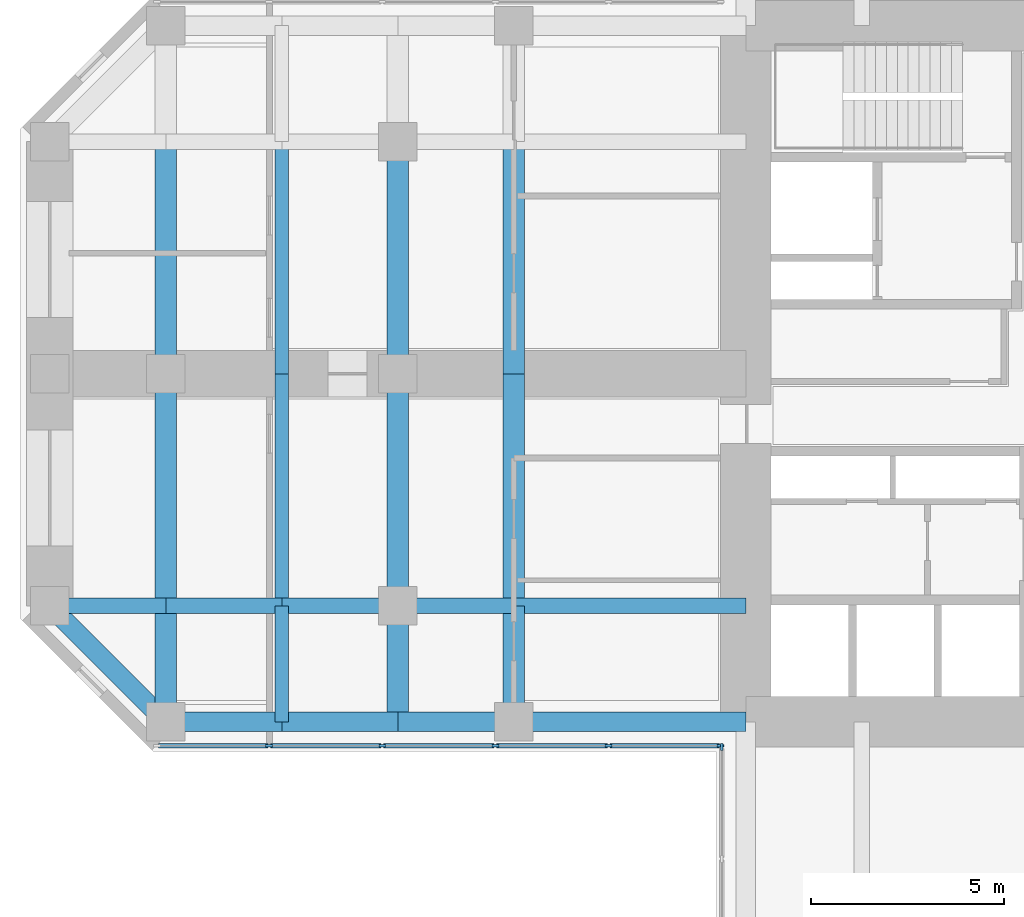
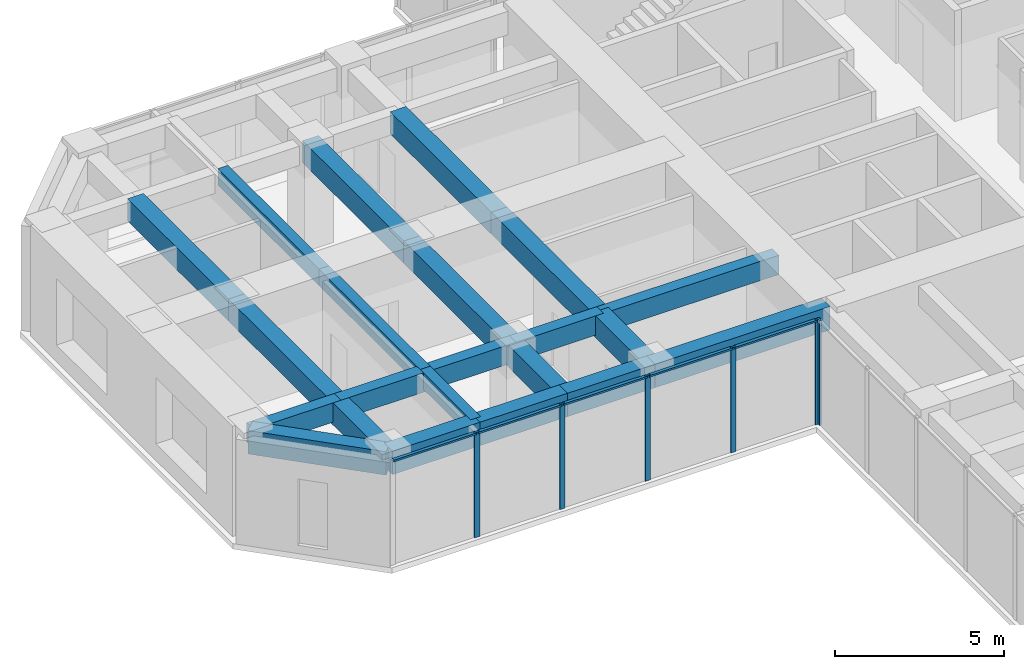
# One storey, part 3 of 13: 22 beams, 11 members, 2 elements without a shape of their own.
"""IFC4 building model written with IfcOpenShell, lengths in metres."""

import ifcopenshell
import ifcopenshell.guid

model = None  # the IFC model being written
_history = None  # IfcOwnerHistory: only IFC2X3 demands one
_inside = {}  # id of a spatial element -> (the spatial element, [elements in it])
_under = {}  # id of a project, library or spatial element -> (it, [spatial elements below it])
_declared = {}  # id of a project -> (the project, [libraries it declares])
_typed = {}  # id of a type object -> (the type object, [elements of that type])
_made_of = {}  # id of a material, layer set ... -> (it, [elements and type objects made of it])


def new_model(schema):
    """Start an empty IFC model of exactly this schema.

    Asked for "IFC4X3", IfcOpenShell would pick the latest addendum, in which some entities
    have other attributes; the version numbers below select the first issue.
    IFC2X3 requires an IfcOwnerHistory on every rooted entity: one is made here for all.
    """
    global model, _history
    if schema == "IFC4X3":
        model = ifcopenshell.file(schema_version=(4, 3, 0, 0))
    else:
        model = ifcopenshell.file(schema=schema)
    _inside.clear()
    _under.clear()
    _declared.clear()
    _typed.clear()
    _made_of.clear()
    _history = None
    if model.schema == "IFC2X3":
        org = make("IfcOrganization", Name="unknown")
        user = make(
            "IfcPersonAndOrganization",
            ThePerson=make("IfcPerson", FamilyName="unknown"),
            TheOrganization=org,
        )
        app = make(
            "IfcApplication",
            ApplicationDeveloper=org,
            Version="unknown",
            ApplicationFullName="unknown",
            ApplicationIdentifier="unknown",
        )
        _history = make(
            "IfcOwnerHistory",
            OwningUser=user,
            OwningApplication=app,
            ChangeAction="ADDED",
            CreationDate=0,
        )
    return model


def make(cls, **values):
    """One entity of the class cls with the attributes given. An attribute that is None is left unset."""
    return model.create_entity(
        cls, **{name: value for name, value in values.items() if value is not None}
    )


def rooted(cls, **values):
    """An entity with a GlobalId (a new one), such as an element, a storey or a relation."""
    return make(cls, GlobalId=ifcopenshell.guid.new(), OwnerHistory=_history, **values)


def si_unit(unit_type, name, prefix=None):
    """IfcSIUnit, for example si_unit("LENGTHUNIT", "METRE", prefix="MILLI")."""
    return make("IfcSIUnit", UnitType=unit_type, Prefix=prefix, Name=name)


def assignment(units):
    """IfcUnitAssignment: the units of a project."""
    return None if units is None else make("IfcUnitAssignment", Units=units)


def point(xyz):
    """IfcCartesianPoint."""
    return None if xyz is None else make("IfcCartesianPoint", Coordinates=xyz)


def direction(xyz):
    """IfcDirection."""
    return None if xyz is None else make("IfcDirection", DirectionRatios=xyz)


def frame(location, z_axis=None, x_axis=None):
    """IfcAxis2Placement3D, a coordinate frame: its origin and axes. An axis left out is left unset."""
    return make(
        "IfcAxis2Placement3D",
        Location=point(location),
        Axis=direction(z_axis),
        RefDirection=direction(x_axis),
    )


def frame_2d(location, x_axis=None):
    """IfcAxis2Placement2D, a coordinate frame in the plane: its origin and x axis."""
    return make(
        "IfcAxis2Placement2D", Location=point(location), RefDirection=direction(x_axis)
    )


def origin():
    """The frame at (0, 0, 0) with its axes left unset."""
    return frame((0.0, 0.0, 0.0))


def origin_2d():
    """The frame at (0, 0) in the plane with its x axis left unset."""
    return frame_2d((0.0, 0.0))


def place(relative_to, where):
    """IfcLocalPlacement: puts the frame where relative to a parent placement (None: the world)."""
    return make(
        "IfcLocalPlacement", PlacementRelTo=relative_to, RelativePlacement=where
    )


def context(
    kind, dimensions, precision=None, world=None, true_north=None, identifier=None
):
    """IfcGeometricRepresentationContext, for example the 3D "Model" context."""
    return make(
        "IfcGeometricRepresentationContext",
        ContextIdentifier=identifier,
        ContextType=kind,
        CoordinateSpaceDimension=dimensions,
        Precision=precision,
        WorldCoordinateSystem=world,
        TrueNorth=true_north,
    )


def subcontext(parent, identifier, kind, view, scale=None):
    """IfcGeometricRepresentationSubContext, for example "Body" below "Model"."""
    return make(
        "IfcGeometricRepresentationSubContext",
        ContextIdentifier=identifier,
        ContextType=kind,
        ParentContext=parent,
        TargetScale=scale,
        TargetView=view,
    )


def project(units=None, contexts=None):
    """IfcProject with its units and contexts."""
    return rooted(
        "IfcProject",
        Name="project",
        RepresentationContexts=contexts,
        UnitsInContext=assignment(units),
    )


def spatial(cls, under=None, at=None, **own):
    """A site, building, storey or space (cls), placed at a placement, below another one or the project."""
    s = rooted(cls, ObjectPlacement=at, **own)
    if under is not None:
        _under.setdefault(under.id(), (under, []))[1].append(s)
    return s


def profile(cls, at=None, kind="AREA", **sizes):
    """A parametric profile (cls). Its sizes go by their IFC names, for example OverallWidth=200.0."""
    return make(cls, ProfileType=kind, Position=at, **sizes)


def rectangle(**sizes):
    """IfcRectangleProfileDef."""
    return profile("IfcRectangleProfileDef", **sizes)


def extrude(swept, where, along, depth):
    """IfcExtrudedAreaSolid: the profile swept, set in the frame where, extruded along a direction by depth."""
    return make(
        "IfcExtrudedAreaSolid",
        SweptArea=swept,
        Position=where,
        ExtrudedDirection=direction(along),
        Depth=depth,
    )


def shape(context_of_items, identifier, shape_type, items):
    """IfcShapeRepresentation: the items that make up one representation, for example the "Body"."""
    return make(
        "IfcShapeRepresentation",
        ContextOfItems=context_of_items,
        RepresentationIdentifier=identifier,
        RepresentationType=shape_type,
        Items=items,
    )


def material(Name=None, Category=None):
    """IfcMaterial."""
    return make("IfcMaterial", Name=Name, Category=Category)


def material_profile(
    of_material, cross_section, Name=None, Category=None, Priority=None
):
    """IfcMaterialProfile: a cross section and its material."""
    return make(
        "IfcMaterialProfile",
        Name=Name,
        Material=of_material,
        Profile=cross_section,
        Priority=Priority,
        Category=Category,
    )


def profile_set(profiles, Name=None, composite=None):
    """IfcMaterialProfileSet."""
    return make(
        "IfcMaterialProfileSet",
        Name=Name,
        MaterialProfiles=profiles,
        CompositeProfile=composite,
    )


def made_of(thing, what):
    """Note that an element or type object is made of a material, layer set ...; save() writes the relation."""
    if what is not None:
        _made_of.setdefault(what.id(), (what, []))[1].append(thing)
    return thing


def type_object(cls, material=None, **own):
    """A type object (cls), such as IfcWallType, which elements share."""
    return made_of(rooted(cls, **own), material)


def element(
    cls,
    number,
    at=None,
    inside=None,
    cuts=None,
    type_object=None,
    material=None,
    context=None,
    identifier="Body",
    shape_type=None,
    held_by="IfcProductDefinitionShape",
    body=None,
    shapes=None,
    **own,
):
    """One element of the class cls, such as IfcWall. Its Tag is "e" and its number.

    at: its placement. inside: the storey or other place that contains it. cuts: it is an
    opening in that element (IfcRelVoidsElement). A single representation is given by context,
    identifier, shape_type and body (its items); several are given by shapes. held_by: the class
    of the entity that holds the representations. save() writes the other relations.
    """
    e = rooted(cls, Tag="e%d" % number, ObjectPlacement=at, **own)
    if body is not None:
        shapes = [shape(context, identifier, shape_type, body)]
    if shapes is not None:
        e.Representation = make(held_by, Representations=shapes)
    if inside is not None:
        _inside.setdefault(inside.id(), (inside, []))[1].append(e)
    if cuts is not None:
        rooted(
            "IfcRelVoidsElement", RelatingBuildingElement=cuts, RelatedOpeningElement=e
        )
    if type_object is not None:
        _typed.setdefault(type_object.id(), (type_object, []))[1].append(e)
    return made_of(e, material)


def aggregate(whole, parts):
    """IfcRelAggregates: a whole, such as a stair, and the parts it consists of."""
    return rooted("IfcRelAggregates", RelatingObject=whole, RelatedObjects=parts)


def save(model, path):
    """Write the relations noted so far, then the file.

    IfcRelAggregates (storeys below a building ...), IfcRelContainedInSpatialStructure (elements
    in a storey), IfcRelDefinesByType, IfcRelAssociatesMaterial and IfcRelDeclares: one each for
    every whole, place, type object, material and project.
    """
    for whole, parts in _under.values():
        aggregate(whole, parts)
    for where, things in _inside.values():
        rooted(
            "IfcRelContainedInSpatialStructure",
            RelatedElements=things,
            RelatingStructure=where,
        )
    for kind, things in _typed.values():
        rooted("IfcRelDefinesByType", RelatedObjects=things, RelatingType=kind)
    for what, things in _made_of.values():
        rooted("IfcRelAssociatesMaterial", RelatedObjects=things, RelatingMaterial=what)
    for by, libraries in _declared.values():
        rooted("IfcRelDeclares", RelatingContext=by, RelatedDefinitions=libraries)
    model.write(path)


model = new_model("IFC4")

# Units and contexts
model_context = context("Model", 3, precision=1e-05, world=origin(), true_north=direction((0.0, 1.0)))
body_context = subcontext(model_context, "Body", "Model", "MODEL_VIEW")
ifc_project = project(units=[si_unit("LENGTHUNIT", "METRE"), si_unit("AREAUNIT", "SQUARE_METRE"), si_unit("VOLUMEUNIT", "CUBIC_METRE"), si_unit("PLANEANGLEUNIT", "RADIAN"), si_unit("MASSUNIT", "GRAM", prefix="KILO")], contexts=[model_context])

# Site, building, storey
site_placement = place(None, origin())
site = spatial("IfcSite", under=ifc_project, at=site_placement, CompositionType="ELEMENT")
building_placement = place(site_placement, origin())
building = spatial("IfcBuilding", under=site, at=building_placement, Name="Torre Cruceta", CompositionType="ELEMENT")
storey_placement = place(building_placement, frame((0.0, 0.0, 124.5)))
storey = spatial("IfcBuildingStorey", under=building, at=storey_placement, Name="L30", CompositionType="ELEMENT", Elevation=124.5)

# Beams
ifc_material_1 = material(Name="Concrete G60 (fck 60 MPa)", Category="concrete")
ifc_material_profile_1 = material_profile(ifc_material_1, rectangle(XDim=0.39990234375, YDim=0.699951171875, at=origin_2d()), Name="RC 400X700")
ifc_profile_set_1 = profile_set([ifc_material_profile_1], Name="Concrete G60 (fck 60 MPa)")
beam_type_1 = type_object("IfcBeamType", Name="COLUMN LINE BEAM RC 400X700", PredefinedType="BEAM", material=ifc_profile_set_1)
beam_1_placement = place(storey_placement, frame((-9.0, -6.0, 3.449951171875), z_axis=(-1.0, 0.0, 0.0), x_axis=(0.0, -1.0, 0.0)))
element("IfcBeam", 1, at=beam_1_placement, inside=storey, type_object=beam_type_1, Name="LB5 L30 W col+ 1", PredefinedType="BEAM", context=body_context, shape_type="SweptSolid", body=[
    extrude(rectangle(XDim=0.39990234375, YDim=0.699951171875, at=origin_2d()), origin(), (0.0, 0.0, 1.0), 6.0),
])
for number, where, z_axis, x_axis, name in (
    (2, (-15.0, -6.0, 3.449951171875), (-1.0, 0.0, 0.0), (0.0, -1.0, 0.0), "LB5 L30 W col+ 2"),
    (3, (-18.0, -6.0, 3.449951171875), (-1.0, 0.0, 0.0), (0.0, -1.0, 0.0), "LB5 L30 W col+ 3"),
    (4, (-21.0, -6.0, 3.449951171875), (-1.0, 0.0, 0.0), (0.0, -1.0, 0.0), "LB5 L30 W col+ 4"),
    (5, (-24.0, -6.0, 3.449951171875), (-1.0, 0.0, 0.0), (0.0, -1.0, 0.0), "LB5 L30 W col+ 5"),
):
    element("IfcBeam", number, at=place(storey_placement, frame(where, z_axis=z_axis, x_axis=x_axis)), inside=storey, type_object=beam_type_1, Name=name, PredefinedType="BEAM", context=body_context, shape_type="SweptSolid", body=[
        extrude(rectangle(XDim=0.39990234375, YDim=0.699951171875, at=origin_2d()), origin(), (0.0, 0.0, 1.0), 3.0),
    ])
ifc_material_2 = material(Name="Concrete G60 (fck 60 MPa)", Category="concrete")
ifc_material_profile_2 = material_profile(ifc_material_2, rectangle(XDim=0.550048828125, YDim=0.800048828125, at=origin_2d()), Name="RC 550X800")
ifc_profile_set_2 = profile_set([ifc_material_profile_2], Name="Concrete G60 (fck 60 MPa)")
beam_type_2 = type_object("IfcBeamType", Name="CROSS BEAM RC 550X800", PredefinedType="BEAM", material=ifc_profile_set_2)
for number, where, z_axis, x_axis, name in (
    (6, (-15.0, 6.0, 3.39990234375), (0.0, -1.0, 0.0), (1.0, 0.0, 0.0), "GB5 L30 W cross15 2"),
    (7, (-15.0, 0.0, 3.39990234375), (0.0, -1.0, 0.0), (1.0, 0.0, 0.0), "GB5 L30 W cross15 3"),
):
    element("IfcBeam", number, at=place(storey_placement, frame(where, z_axis=z_axis, x_axis=x_axis)), inside=storey, type_object=beam_type_2, Name=name, PredefinedType="BEAM", context=body_context, shape_type="SweptSolid", body=[
        extrude(rectangle(XDim=0.550048828125, YDim=0.800048828125, at=origin_2d()), origin(), (0.0, 0.0, 1.0), 6.0),
    ])
beam_2_placement = place(storey_placement, frame((-15.0, -6.0, 3.39990234375), z_axis=(0.0, -1.0, 0.0), x_axis=(1.0, 0.0, 0.0)))
element("IfcBeam", 8, at=beam_2_placement, inside=storey, type_object=beam_type_2, Name="GB5 L30 W cross15 4", PredefinedType="BEAM", context=body_context, shape_type="SweptSolid", body=[
    extrude(rectangle(XDim=0.550048828125, YDim=0.800048828125, at=origin_2d()), origin(), (0.0, 0.0, 1.0), 3.0),
])
for number, where, z_axis, x_axis, name in (
    (9, (-18.0, 6.0, 3.39990234375), (0.0, -1.0, 0.0), (1.0, 0.0, 0.0), "GB5 L30 W cross18 2"),
    (10, (-18.0, 0.0, 3.39990234375), (0.0, -1.0, 0.0), (1.0, 0.0, 0.0), "GB5 L30 W cross18 3"),
):
    element("IfcBeam", number, at=place(storey_placement, frame(where, z_axis=z_axis, x_axis=x_axis)), inside=storey, type_object=beam_type_2, Name=name, PredefinedType="BEAM", context=body_context, shape_type="SweptSolid", body=[
        extrude(rectangle(XDim=0.550048828125, YDim=0.800048828125, at=origin_2d()), origin(), (0.0, 0.0, 1.0), 6.0),
    ])
beam_3_placement = place(storey_placement, frame((-18.0, -6.0, 3.39990234375), z_axis=(0.0, -1.0, 0.0), x_axis=(1.0, 0.0, 0.0)))
element("IfcBeam", 11, at=beam_3_placement, inside=storey, type_object=beam_type_2, Name="GB5 L30 W cross18 4", PredefinedType="BEAM", context=body_context, shape_type="SweptSolid", body=[
    extrude(rectangle(XDim=0.550048828125, YDim=0.800048828125, at=origin_2d()), origin(), (0.0, 0.0, 1.0), 3.0),
])
for number, where, z_axis, x_axis, name in (
    (12, (-24.0, 6.0, 3.39990234375), (0.0, -1.0, 0.0), (1.0, 0.0, 0.0), "GB5 L30 W cross24 2"),
    (13, (-24.0, 0.0, 3.39990234375), (0.0, -1.0, 0.0), (1.0, 0.0, 0.0), "GB5 L30 W cross24 3"),
):
    element("IfcBeam", number, at=place(storey_placement, frame(where, z_axis=z_axis, x_axis=x_axis)), inside=storey, type_object=beam_type_2, Name=name, PredefinedType="BEAM", context=body_context, shape_type="SweptSolid", body=[
        extrude(rectangle(XDim=0.550048828125, YDim=0.800048828125, at=origin_2d()), origin(), (0.0, 0.0, 1.0), 6.0),
    ])
beam_4_placement = place(storey_placement, frame((-24.0, -6.0, 3.39990234375), z_axis=(0.0, -1.0, 0.0), x_axis=(1.0, 0.0, 0.0)))
element("IfcBeam", 14, at=beam_4_placement, inside=storey, type_object=beam_type_2, Name="GB5 L30 W cross24 4", PredefinedType="BEAM", context=body_context, shape_type="SweptSolid", body=[
    extrude(rectangle(XDim=0.550048828125, YDim=0.800048828125, at=origin_2d()), origin(), (0.0, 0.0, 1.0), 3.0),
])

# Curtain wall, members
ifc_material_3 = material(Name="Aluminium unitised curtain wall", Category="aluminium")
curtain_wall_type = type_object("IfcCurtainWallType", Name="CURTAIN WALL CW-B OFFICE MID RISE", PredefinedType="USERDEFINED", material=ifc_material_3)
curtain_wall_1_placement = place(storey_placement, origin())
curtain_wall_1 = element("IfcCurtainWall", 15, at=curtain_wall_1_placement, inside=storey, type_object=curtain_wall_type, Name="CW-B L30 W side 14", ObjectType="UNITISED", PredefinedType="USERDEFINED")
ifc_material_4 = material(Name="Aluminium mullion", Category="aluminium")
ifc_material_profile_3 = material_profile(ifc_material_4, rectangle(XDim=0.06494140625, YDim=0.179931640625, at=origin_2d()), Name="AL 65X180")
ifc_profile_set_3 = profile_set([ifc_material_profile_3], Name="Aluminium mullion")
member_type_1 = type_object("IfcMemberType", Name="CW-B MULLION 65X180", PredefinedType="MULLION", material=ifc_profile_set_3)
member_1_placement = place(storey_placement, frame((-21.329345703125, -9.6201171875, 0.0), z_axis=(0.0, 0.0, 1.0), x_axis=(0.0, 1.0, 0.0)))
member_1 = element("IfcMember", 16, at=member_1_placement, type_object=member_type_1, Name="CW-B mullion 2", PredefinedType="MULLION", context=body_context, shape_type="SweptSolid", body=[
    extrude(rectangle(XDim=0.06494140625, YDim=0.179931640625, at=origin_2d()), origin(), (0.0, 0.0, 1.0), 3.800048828125),
])
member_2_placement = place(storey_placement, frame((-18.402099609375, -9.6201171875, 0.0), z_axis=(0.0, 0.0, 1.0), x_axis=(0.0, 1.0, 0.0)))
member_2 = element("IfcMember", 17, at=member_2_placement, type_object=member_type_1, Name="CW-B mullion 3", PredefinedType="MULLION", context=body_context, shape_type="SweptSolid", body=[
    extrude(rectangle(XDim=0.06494140625, YDim=0.179931640625, at=origin_2d()), origin(), (0.0, 0.0, 1.0), 3.800048828125),
])
member_3_placement = place(storey_placement, frame((-15.474609375, -9.6201171875, 0.0), z_axis=(0.0, 0.0, 1.0), x_axis=(0.0, 1.0, 0.0)))
member_3 = element("IfcMember", 18, at=member_3_placement, type_object=member_type_1, Name="CW-B mullion 4", PredefinedType="MULLION", context=body_context, shape_type="SweptSolid", body=[
    extrude(rectangle(XDim=0.06494140625, YDim=0.179931640625, at=origin_2d()), origin(), (0.0, 0.0, 1.0), 3.800048828125),
])
member_4_placement = place(storey_placement, frame((-12.54736328125, -9.6201171875, 0.0), z_axis=(0.0, 0.0, 1.0), x_axis=(0.0, 1.0, 0.0)))
member_4 = element("IfcMember", 19, at=member_4_placement, type_object=member_type_1, Name="CW-B mullion 5", PredefinedType="MULLION", context=body_context, shape_type="SweptSolid", body=[
    extrude(rectangle(XDim=0.06494140625, YDim=0.179931640625, at=origin_2d()), origin(), (0.0, 0.0, 1.0), 3.800048828125),
])
member_5_placement = place(storey_placement, frame((-9.652587890625, -9.6201171875, 0.0), z_axis=(0.0, 0.0, 1.0), x_axis=(0.0, 1.0, 0.0)))
member_5 = element("IfcMember", 20, at=member_5_placement, type_object=member_type_1, Name="CW-B mullion 6", PredefinedType="MULLION", context=body_context, shape_type="SweptSolid", body=[
    extrude(rectangle(XDim=0.06494140625, YDim=0.179931640625, at=origin_2d()), origin(), (0.0, 0.0, 1.0), 3.800048828125),
])

# Curtain wall, member
curtain_wall_2_placement = place(storey_placement, origin())
curtain_wall_2 = element("IfcCurtainWall", 21, at=curtain_wall_2_placement, inside=storey, type_object=curtain_wall_type, Name="CW-B L30 S side 15", ObjectType="UNITISED", PredefinedType="USERDEFINED")
member_6_placement = place(storey_placement, frame((-9.6201171875, -9.652587890625, 0.0), z_axis=(0.0, 0.0, 1.0), x_axis=(1.0, 0.0, 0.0)))
member_6 = element("IfcMember", 22, at=member_6_placement, type_object=member_type_1, Name="CW-B mullion 1", PredefinedType="MULLION", context=body_context, shape_type="SweptSolid", body=[
    extrude(rectangle(XDim=0.06494140625, YDim=0.179931640625, at=origin_2d()), origin(), (0.0, 0.0, 1.0), 3.800048828125),
])
aggregate(curtain_wall_2, [member_6])

# Member
ifc_material_5 = material(Name="Aluminium transom", Category="aluminium")
ifc_material_profile_4 = material_profile(ifc_material_5, rectangle(XDim=0.110107421875, YDim=0.06494140625, at=origin_2d()), Name="AL 110X65")
ifc_profile_set_4 = profile_set([ifc_material_profile_4], Name="Aluminium transom")
member_type_2 = type_object("IfcMemberType", Name="CW-B TRANSOM 65X110", PredefinedType="USERDEFINED", material=ifc_profile_set_4)
member_7_placement = place(storey_placement, frame((-24.19189453125, -9.6201171875, 3.767578125), z_axis=(1.0, 0.0, 0.0), x_axis=(0.0, 1.0, 0.0)))
member_7 = element("IfcMember", 23, at=member_7_placement, type_object=member_type_2, Name="CW-B transom 1", ObjectType="TRANSOM", PredefinedType="USERDEFINED", context=body_context, shape_type="SweptSolid", body=[
    extrude(rectangle(XDim=0.110107421875, YDim=0.06494140625, at=origin_2d()), origin(), (0.0, 0.0, 1.0), 2.829833984375),
])

member_8_placement = place(storey_placement, frame((-21.296875, -9.6201171875, 3.767578125), z_axis=(1.0, 0.0, 0.0), x_axis=(0.0, 1.0, 0.0)))
member_8 = element("IfcMember", 24, at=member_8_placement, type_object=member_type_2, Name="CW-B transom 2", ObjectType="TRANSOM", PredefinedType="USERDEFINED", context=body_context, shape_type="SweptSolid", body=[
    extrude(rectangle(XDim=0.110107421875, YDim=0.06494140625, at=origin_2d()), origin(), (0.0, 0.0, 1.0), 2.8623046875),
])

member_9_placement = place(storey_placement, frame((-18.36962890625, -9.6201171875, 3.767578125), z_axis=(1.0, 0.0, 0.0), x_axis=(0.0, 1.0, 0.0)))
member_9 = element("IfcMember", 25, at=member_9_placement, type_object=member_type_2, Name="CW-B transom 3", ObjectType="TRANSOM", PredefinedType="USERDEFINED", context=body_context, shape_type="SweptSolid", body=[
    extrude(rectangle(XDim=0.110107421875, YDim=0.06494140625, at=origin_2d()), origin(), (0.0, 0.0, 1.0), 2.8623046875),
])

member_10_placement = place(storey_placement, frame((-15.442138671875, -9.6201171875, 3.767578125), z_axis=(1.0, 0.0, 0.0), x_axis=(0.0, 1.0, 0.0)))
member_10 = element("IfcMember", 26, at=member_10_placement, type_object=member_type_2, Name="CW-B transom 4", ObjectType="TRANSOM", PredefinedType="USERDEFINED", context=body_context, shape_type="SweptSolid", body=[
    extrude(rectangle(XDim=0.110107421875, YDim=0.06494140625, at=origin_2d()), origin(), (0.0, 0.0, 1.0), 2.8623046875),
])

member_11_placement = place(storey_placement, frame((-12.514892578125, -9.6201171875, 3.767578125), z_axis=(1.0, 0.0, 0.0), x_axis=(0.0, 1.0, 0.0)))
member_11 = element("IfcMember", 27, at=member_11_placement, type_object=member_type_2, Name="CW-B transom 5", ObjectType="TRANSOM", PredefinedType="USERDEFINED", context=body_context, shape_type="SweptSolid", body=[
    extrude(rectangle(XDim=0.110107421875, YDim=0.06494140625, at=origin_2d()), origin(), (0.0, 0.0, 1.0), 2.829833984375),
])

aggregate(curtain_wall_1, [member_1, member_2, member_3, member_4, member_5, member_7, member_8, member_9, member_10, member_11])

# Beams
ifc_material_6 = material(Name="Concrete G60 (fck 60 MPa)", Category="concrete")
ifc_material_profile_5 = material_profile(ifc_material_6, rectangle(XDim=0.35009765625, YDim=0.60009765625, at=origin_2d()), Name="RC 350X600")
ifc_profile_set_5 = profile_set([ifc_material_profile_5], Name="Concrete G60 (fck 60 MPa)")
beam_type_3 = type_object("IfcBeamType", Name="SECONDARY BEAM RC 350X600", PredefinedType="JOIST", material=ifc_profile_set_5)
for number, where, z_axis, x_axis, name in (
    (28, (-21.0, 6.0, 3.5), (0.0, -1.0, 0.0), (1.0, 0.0, 0.0), "JB5 L30 W sec21 2"),
    (29, (-21.0, 0.0, 3.5), (0.0, -1.0, 0.0), (1.0, 0.0, 0.0), "JB5 L30 W sec21 3"),
):
    element("IfcBeam", number, at=place(storey_placement, frame(where, z_axis=z_axis, x_axis=x_axis)), inside=storey, type_object=beam_type_3, Name=name, PredefinedType="JOIST", context=body_context, shape_type="SweptSolid", body=[
        extrude(rectangle(XDim=0.35009765625, YDim=0.60009765625, at=origin_2d()), origin(), (0.0, 0.0, 1.0), 6.0),
    ])
beam_5_placement = place(storey_placement, frame((-21.0, -6.0, 3.5), z_axis=(0.0, -1.0, 0.0), x_axis=(1.0, 0.0, 0.0)))
element("IfcBeam", 30, at=beam_5_placement, inside=storey, type_object=beam_type_3, Name="JB5 L30 W sec21 4", PredefinedType="JOIST", context=body_context, shape_type="SweptSolid", body=[
    extrude(rectangle(XDim=0.35009765625, YDim=0.60009765625, at=origin_2d()), origin(), (0.0, 0.0, 1.0), 3.0),
])
ifc_material_7 = material(Name="Concrete G60 (fck 60 MPa)", Category="concrete")
ifc_material_profile_6 = material_profile(ifc_material_7, rectangle(XDim=0.5, YDim=0.85009765625, at=origin_2d()), Name="RC 500X850")
ifc_profile_set_6 = profile_set([ifc_material_profile_6], Name="Concrete G60 (fck 60 MPa)")
beam_type_4 = type_object("IfcBeamType", Name="SPANDREL BEAM RC 500X850", PredefinedType="SPANDREL", material=ifc_profile_set_6)
beam_6_placement = place(storey_placement, frame((-9.0, -9.0, 3.375), z_axis=(-1.0, 0.0, 0.0), x_axis=(0.0, -1.0, 0.0)))
element("IfcBeam", 31, at=beam_6_placement, inside=storey, type_object=beam_type_4, Name="SB5 L30 W side+ 1", PredefinedType="SPANDREL", context=body_context, shape_type="SweptSolid", body=[
    extrude(rectangle(XDim=0.5, YDim=0.85009765625, at=origin_2d()), origin(), (0.0, 0.0, 1.0), 6.0),
])
for number, where, z_axis, x_axis, name in (
    (32, (-15.0, -9.0, 3.375), (-1.0, 0.0, 0.0), (0.0, -1.0, 0.0), "SB5 L30 W side+ 2"),
    (33, (-18.0, -9.0, 3.375), (-1.0, 0.0, 0.0), (0.0, -1.0, 0.0), "SB5 L30 W side+ 3"),
    (34, (-21.0, -9.0, 3.375), (-1.0, 0.0, 0.0), (0.0, -1.0, 0.0), "SB5 L30 W side+ 4"),
):
    element("IfcBeam", number, at=place(storey_placement, frame(where, z_axis=z_axis, x_axis=x_axis)), inside=storey, type_object=beam_type_4, Name=name, PredefinedType="SPANDREL", context=body_context, shape_type="SweptSolid", body=[
        extrude(rectangle(XDim=0.5, YDim=0.85009765625, at=origin_2d()), origin(), (0.0, 0.0, 1.0), 3.0),
    ])
beam_7_placement = place(storey_placement, frame((-24.0, -9.0, 3.375), z_axis=(-0.707106781187, 0.707106781187, 0.0), x_axis=(-0.707106781187, -0.707106781187, 0.0)))
element("IfcBeam", 35, at=beam_7_placement, inside=storey, type_object=beam_type_4, Name="SB5 L30 W side+ 5", PredefinedType="SPANDREL", context=body_context, shape_type="SweptSolid", body=[
    extrude(rectangle(XDim=0.5, YDim=0.85009765625, at=origin_2d()), origin(), (0.0, 0.0, 1.0), 4.24267578125),
])

save(model, "model.ifc")
